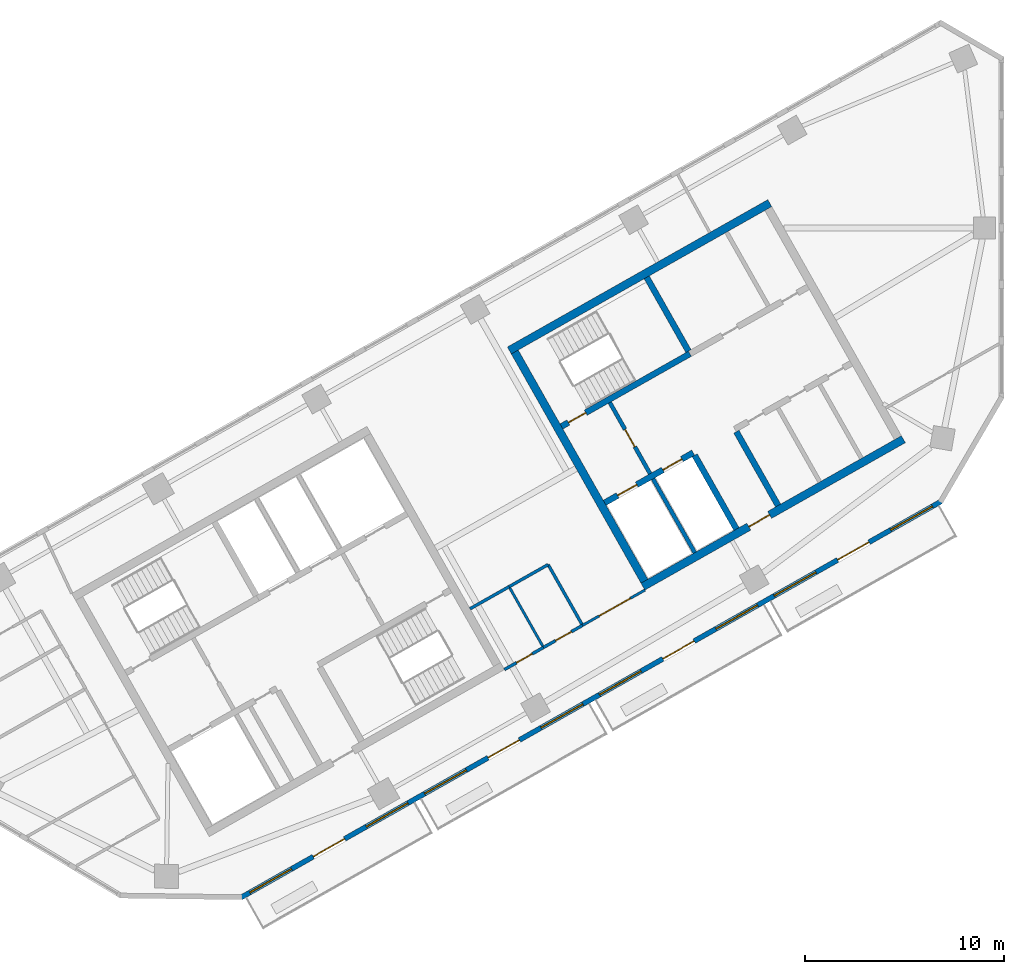
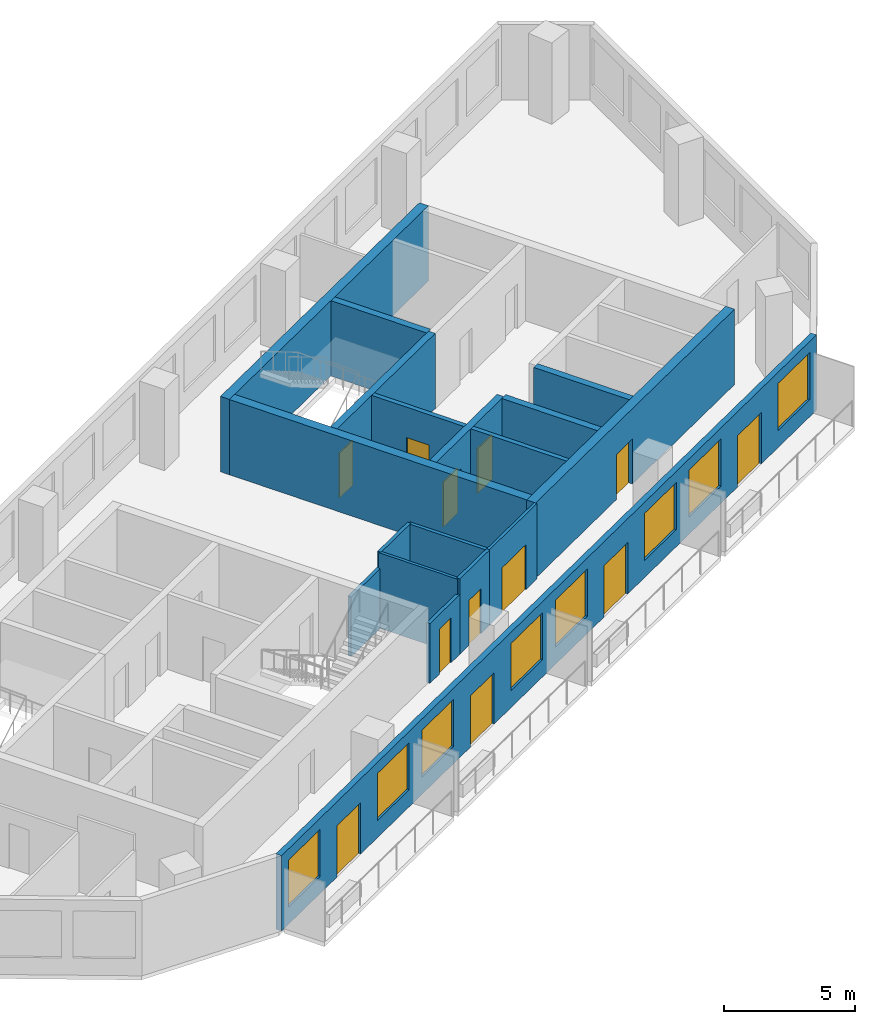
# One storey, part 4 of 7: 18 walls, 12 doors, 8 windows, 20 openings.
"""IFC4 building model written with IfcOpenShell, lengths in metres."""

import ifcopenshell
import ifcopenshell.guid

model = None  # the IFC model being written
_history = None  # IfcOwnerHistory: only IFC2X3 demands one
_inside = {}  # id of a spatial element -> (the spatial element, [elements in it])
_under = {}  # id of a project, library or spatial element -> (it, [spatial elements below it])
_declared = {}  # id of a project -> (the project, [libraries it declares])
_typed = {}  # id of a type object -> (the type object, [elements of that type])
_made_of = {}  # id of a material, layer set ... -> (it, [elements and type objects made of it])


def new_model(schema):
    """Start an empty IFC model of exactly this schema.

    Asked for "IFC4X3", IfcOpenShell would pick the latest addendum, in which some entities
    have other attributes; the version numbers below select the first issue.
    IFC2X3 requires an IfcOwnerHistory on every rooted entity: one is made here for all.
    """
    global model, _history
    if schema == "IFC4X3":
        model = ifcopenshell.file(schema_version=(4, 3, 0, 0))
    else:
        model = ifcopenshell.file(schema=schema)
    _inside.clear()
    _under.clear()
    _declared.clear()
    _typed.clear()
    _made_of.clear()
    _history = None
    if model.schema == "IFC2X3":
        org = make("IfcOrganization", Name="unknown")
        user = make(
            "IfcPersonAndOrganization",
            ThePerson=make("IfcPerson", FamilyName="unknown"),
            TheOrganization=org,
        )
        app = make(
            "IfcApplication",
            ApplicationDeveloper=org,
            Version="unknown",
            ApplicationFullName="unknown",
            ApplicationIdentifier="unknown",
        )
        _history = make(
            "IfcOwnerHistory",
            OwningUser=user,
            OwningApplication=app,
            ChangeAction="ADDED",
            CreationDate=0,
        )
    return model


def make(cls, **values):
    """One entity of the class cls with the attributes given. An attribute that is None is left unset."""
    return model.create_entity(
        cls, **{name: value for name, value in values.items() if value is not None}
    )


def rooted(cls, **values):
    """An entity with a GlobalId (a new one), such as an element, a storey or a relation."""
    return make(cls, GlobalId=ifcopenshell.guid.new(), OwnerHistory=_history, **values)


def si_unit(unit_type, name, prefix=None):
    """IfcSIUnit, for example si_unit("LENGTHUNIT", "METRE", prefix="MILLI")."""
    return make("IfcSIUnit", UnitType=unit_type, Prefix=prefix, Name=name)


def assignment(units):
    """IfcUnitAssignment: the units of a project."""
    return None if units is None else make("IfcUnitAssignment", Units=units)


def point(xyz):
    """IfcCartesianPoint."""
    return None if xyz is None else make("IfcCartesianPoint", Coordinates=xyz)


def direction(xyz):
    """IfcDirection."""
    return None if xyz is None else make("IfcDirection", DirectionRatios=xyz)


def frame(location, z_axis=None, x_axis=None):
    """IfcAxis2Placement3D, a coordinate frame: its origin and axes. An axis left out is left unset."""
    return make(
        "IfcAxis2Placement3D",
        Location=point(location),
        Axis=direction(z_axis),
        RefDirection=direction(x_axis),
    )


def frame_2d(location, x_axis=None):
    """IfcAxis2Placement2D, a coordinate frame in the plane: its origin and x axis."""
    return make(
        "IfcAxis2Placement2D", Location=point(location), RefDirection=direction(x_axis)
    )


def origin():
    """The frame at (0, 0, 0) with its axes left unset."""
    return frame((0.0, 0.0, 0.0))


def place(relative_to, where):
    """IfcLocalPlacement: puts the frame where relative to a parent placement (None: the world)."""
    return make(
        "IfcLocalPlacement", PlacementRelTo=relative_to, RelativePlacement=where
    )


def context(
    kind, dimensions, precision=None, world=None, true_north=None, identifier=None
):
    """IfcGeometricRepresentationContext, for example the 3D "Model" context."""
    return make(
        "IfcGeometricRepresentationContext",
        ContextIdentifier=identifier,
        ContextType=kind,
        CoordinateSpaceDimension=dimensions,
        Precision=precision,
        WorldCoordinateSystem=world,
        TrueNorth=true_north,
    )


def subcontext(parent, identifier, kind, view, scale=None):
    """IfcGeometricRepresentationSubContext, for example "Body" below "Model"."""
    return make(
        "IfcGeometricRepresentationSubContext",
        ContextIdentifier=identifier,
        ContextType=kind,
        ParentContext=parent,
        TargetScale=scale,
        TargetView=view,
    )


def project(units=None, contexts=None):
    """IfcProject with its units and contexts."""
    return rooted(
        "IfcProject",
        Name="project",
        RepresentationContexts=contexts,
        UnitsInContext=assignment(units),
    )


def spatial(cls, under=None, at=None, **own):
    """A site, building, storey or space (cls), placed at a placement, below another one or the project."""
    s = rooted(cls, ObjectPlacement=at, **own)
    if under is not None:
        _under.setdefault(under.id(), (under, []))[1].append(s)
    return s


def profile(cls, at=None, kind="AREA", **sizes):
    """A parametric profile (cls). Its sizes go by their IFC names, for example OverallWidth=200.0."""
    return make(cls, ProfileType=kind, Position=at, **sizes)


def rectangle(**sizes):
    """IfcRectangleProfileDef."""
    return profile("IfcRectangleProfileDef", **sizes)


def extrude(swept, where, along, depth):
    """IfcExtrudedAreaSolid: the profile swept, set in the frame where, extruded along a direction by depth."""
    return make(
        "IfcExtrudedAreaSolid",
        SweptArea=swept,
        Position=where,
        ExtrudedDirection=direction(along),
        Depth=depth,
    )


def shape(context_of_items, identifier, shape_type, items):
    """IfcShapeRepresentation: the items that make up one representation, for example the "Body"."""
    return make(
        "IfcShapeRepresentation",
        ContextOfItems=context_of_items,
        RepresentationIdentifier=identifier,
        RepresentationType=shape_type,
        Items=items,
    )


def material(Name=None, Category=None):
    """IfcMaterial."""
    return make("IfcMaterial", Name=Name, Category=Category)


def layer(
    of_material, thickness, ventilated=None, Name=None, Category=None, Priority=None
):
    """IfcMaterialLayer: one layer of a wall or slab, of a material (None: an air gap)."""
    return make(
        "IfcMaterialLayer",
        Material=of_material,
        LayerThickness=thickness,
        IsVentilated=ventilated,
        Name=Name,
        Category=Category,
        Priority=Priority,
    )


def layer_set(layers, Name=None):
    """IfcMaterialLayerSet."""
    return make("IfcMaterialLayerSet", MaterialLayers=layers, LayerSetName=Name)


def made_of(thing, what):
    """Note that an element or type object is made of a material, layer set ...; save() writes the relation."""
    if what is not None:
        _made_of.setdefault(what.id(), (what, []))[1].append(thing)
    return thing


def type_object(cls, material=None, **own):
    """A type object (cls), such as IfcWallType, which elements share."""
    return made_of(rooted(cls, **own), material)


def element(
    cls,
    number,
    at=None,
    inside=None,
    cuts=None,
    type_object=None,
    material=None,
    context=None,
    identifier="Body",
    shape_type=None,
    held_by="IfcProductDefinitionShape",
    body=None,
    shapes=None,
    **own,
):
    """One element of the class cls, such as IfcWall. Its Tag is "e" and its number.

    at: its placement. inside: the storey or other place that contains it. cuts: it is an
    opening in that element (IfcRelVoidsElement). A single representation is given by context,
    identifier, shape_type and body (its items); several are given by shapes. held_by: the class
    of the entity that holds the representations. save() writes the other relations.
    """
    e = rooted(cls, Tag="e%d" % number, ObjectPlacement=at, **own)
    if body is not None:
        shapes = [shape(context, identifier, shape_type, body)]
    if shapes is not None:
        e.Representation = make(held_by, Representations=shapes)
    if inside is not None:
        _inside.setdefault(inside.id(), (inside, []))[1].append(e)
    if cuts is not None:
        rooted(
            "IfcRelVoidsElement", RelatingBuildingElement=cuts, RelatedOpeningElement=e
        )
    if type_object is not None:
        _typed.setdefault(type_object.id(), (type_object, []))[1].append(e)
    return made_of(e, material)


def fill(opening, filler):
    """IfcRelFillsElement: the door or window that sits in an opening."""
    return rooted(
        "IfcRelFillsElement",
        RelatingOpeningElement=opening,
        RelatedBuildingElement=filler,
    )


def aggregate(whole, parts):
    """IfcRelAggregates: a whole, such as a stair, and the parts it consists of."""
    return rooted("IfcRelAggregates", RelatingObject=whole, RelatedObjects=parts)


def save(model, path):
    """Write the relations noted so far, then the file.

    IfcRelAggregates (storeys below a building ...), IfcRelContainedInSpatialStructure (elements
    in a storey), IfcRelDefinesByType, IfcRelAssociatesMaterial and IfcRelDeclares: one each for
    every whole, place, type object, material and project.
    """
    for whole, parts in _under.values():
        aggregate(whole, parts)
    for where, things in _inside.values():
        rooted(
            "IfcRelContainedInSpatialStructure",
            RelatedElements=things,
            RelatingStructure=where,
        )
    for kind, things in _typed.values():
        rooted("IfcRelDefinesByType", RelatedObjects=things, RelatingType=kind)
    for what, things in _made_of.values():
        rooted("IfcRelAssociatesMaterial", RelatedObjects=things, RelatingMaterial=what)
    for by, libraries in _declared.values():
        rooted("IfcRelDeclares", RelatingContext=by, RelatedDefinitions=libraries)
    model.write(path)


model = new_model("IFC4")

# Units and contexts
model_context = context("Model", 3, precision=1e-05, world=origin(), true_north=direction((0.0, 1.0)))
body_context = subcontext(model_context, "Body", "Model", "MODEL_VIEW")
ifc_project = project(units=[si_unit("LENGTHUNIT", "METRE"), si_unit("AREAUNIT", "SQUARE_METRE"), si_unit("VOLUMEUNIT", "CUBIC_METRE"), si_unit("PLANEANGLEUNIT", "RADIAN"), si_unit("MASSUNIT", "GRAM", prefix="KILO")], contexts=[model_context])

# Site, building, storey
site_placement = place(None, origin())
site = spatial("IfcSite", under=ifc_project, at=site_placement, CompositionType="ELEMENT")
building_placement = place(site_placement, origin())
building = spatial("IfcBuilding", under=site, at=building_placement, Name="Binnacle Exchange Tower", CompositionType="ELEMENT")
storey_placement = place(building_placement, frame((0.0, 0.0, 296.89990234375)))
storey = spatial("IfcBuildingStorey", under=building, at=storey_placement, Name="L66", CompositionType="ELEMENT", Elevation=296.89990234375)

# Wall, openings, doors
ifc_material_1 = material(Name="Concrete C70/85", Category="concrete")
ifc_layer_1 = layer(ifc_material_1, 0.300048828125)
ifc_layer_set_1 = layer_set([ifc_layer_1], Name="Core wall - front 300")
wall_type_1 = type_object("IfcWallType", Name="Core wall - front 300", PredefinedType="SOLIDWALL", material=ifc_layer_set_1)
wall_1_placement = place(storey_placement, frame((-19.89208984375, 46.2177734375, 0.0), z_axis=(0.0, 0.0, 1.0), x_axis=(0.870341639186, 0.492448404505, 0.0)))
wall_1 = element("IfcWall", 1, at=wall_1_placement, inside=storey, type_object=wall_type_1, Name="Core wall CRWC2", PredefinedType="SOLIDWALL", context=body_context, shape_type="SweptSolid", body=[
    extrude(rectangle(XDim=5.099853515625, YDim=0.300048828125, at=frame_2d((2.5498046875, 0.0))), origin(), (0.0, 0.0, 1.0), 3.52001953125),
])
opening_1_placement = place(wall_1_placement, frame((0.75, 0.0, 0.0)))
opening_1 = element("IfcOpeningElement", 2, at=opening_1_placement, cuts=wall_1, Name="Opening LD14", PredefinedType="OPENING", context=body_context, shape_type="SweptSolid", body=[
    extrude(rectangle(XDim=1.10009765625, YDim=2.10009765625, at=frame_2d((0.550048828125, 1.050048828125))), frame((0.0, 0.159912109375, 0.0), z_axis=(0.0, -1.0, 0.0), x_axis=(1.0, 0.0, 0.0)), (0.0, 0.0, 1.0), 0.320068359375),
])
opening_2_placement = place(wall_1_placement, frame((3.35009765625, 0.0, 0.0)))
opening_2 = element("IfcOpeningElement", 3, at=opening_2_placement, cuts=wall_1, Name="Opening LD11", PredefinedType="OPENING", context=body_context, shape_type="SweptSolid", body=[
    extrude(rectangle(XDim=1.10009765625, YDim=2.10009765625, at=frame_2d((0.550048828125, 1.050048828125))), frame((0.0, 0.159912109375, 0.0), z_axis=(0.0, -1.0, 0.0), x_axis=(1.0, 0.0, 0.0)), (0.0, 0.0, 1.0), 0.320068359375),
])
ifc_material_2 = material(Name="Steel door leaf", Category="steel")
door_type_1 = type_object("IfcDoorType", Name="Fire door - lift landing 1100", OperationType="NOTDEFINED", PredefinedType="DOOR", material=ifc_material_2)
door_1_placement = place(opening_1_placement, origin())
door_1 = element("IfcDoor", 4, at=door_1_placement, inside=storey, type_object=door_type_1, Name="Landing door LD14 L66", OperationType="DOUBLE_DOOR_SLIDING", OverallHeight=2.10009765625, OverallWidth=1.10009765625, PredefinedType="DOOR", context=body_context, shape_type="SweptSolid", body=[
    extrude(rectangle(XDim=1.10009765625, YDim=2.10009765625, at=frame_2d((0.550048828125, 1.050048828125))), frame((0.0, 0.02490234375, 0.0), z_axis=(0.0, -1.0, 0.0), x_axis=(1.0, 0.0, 0.0)), (0.0, 0.0, 1.0), 0.050048828125),
])
fill(opening_1, door_1)
door_2_placement = place(opening_2_placement, origin())
door_2 = element("IfcDoor", 5, at=door_2_placement, inside=storey, type_object=door_type_1, Name="Landing door LD11 L66", OperationType="DOUBLE_DOOR_SLIDING", OverallHeight=2.10009765625, OverallWidth=1.10009765625, PredefinedType="DOOR", context=body_context, shape_type="SweptSolid", body=[
    extrude(rectangle(XDim=1.10009765625, YDim=2.10009765625, at=frame_2d((0.550048828125, 1.050048828125))), frame((0.0, 0.02490234375, 0.0), z_axis=(0.0, -1.0, 0.0), x_axis=(1.0, 0.0, 0.0)), (0.0, 0.0, 1.0), 0.050048828125),
])
fill(opening_2, door_2)

# Walls
wall_2_placement = place(storey_placement, frame((-15.37939453125, 48.5986328125, 0.0), z_axis=(0.0, 0.0, 1.0), x_axis=(0.492422543467, -0.870356271124, 0.0)))
element("IfcWall", 6, at=wall_2_placement, inside=storey, type_object=wall_type_1, Name="Core wall CRWC13", PredefinedType="SOLIDWALL", context=body_context, shape_type="SweptSolid", body=[
    extrude(rectangle(XDim=4.25, YDim=0.300048828125, at=frame_2d((2.125, 0.0))), origin(), (0.0, 0.0, 1.0), 3.52001953125),
])
wall_3_placement = place(storey_placement, frame((-13.29052734375, 49.780517578125, 0.0), z_axis=(0.0, 0.0, 1.0), x_axis=(0.492397924348, -0.870370199454, 0.0)))
element("IfcWall", 7, at=wall_3_placement, inside=storey, type_object=wall_type_1, Name="Core wall CRWC15", PredefinedType="SOLIDWALL", context=body_context, shape_type="SweptSolid", body=[
    extrude(rectangle(XDim=4.250244140625, YDim=0.300048828125, at=frame_2d((2.125, 0.0))), origin(), (0.0, 0.0, 1.0), 3.52001953125),
])

# Wall, opening, door
ifc_layer_2 = layer(ifc_material_1, 0.39990234375)
ifc_layer_set_2 = layer_set([ifc_layer_2], Name="Core wall - outer 400")
wall_type_2 = type_object("IfcWallType", Name="Core wall - outer 400", PredefinedType="SOLIDWALL", material=ifc_layer_set_2)
wall_4_placement = place(storey_placement, frame((-17.97509765625, 42.01708984375, 0.0), z_axis=(0.0, 0.0, 1.0), x_axis=(0.87034965173, 0.492434243055, 0.0)))
wall_4 = element("IfcWall", 8, at=wall_4_placement, inside=storey, type_object=wall_type_2, Name="Core wall CRWC1", PredefinedType="SOLIDWALL", context=body_context, shape_type="SweptSolid", body=[
    extrude(rectangle(XDim=15.0, YDim=0.39990234375, at=frame_2d((7.5, 0.0))), origin(), (0.0, 0.0, 1.0), 3.52001953125),
])
opening_3_placement = place(wall_4_placement, frame((6.10009765625, 0.0, 0.0)))
opening_3 = element("IfcOpeningElement", 9, at=opening_3_placement, cuts=wall_4, Name="Opening DC7", PredefinedType="OPENING", context=body_context, shape_type="SweptSolid", body=[
    extrude(rectangle(XDim=1.199951171875, YDim=2.10009765625, at=frame_2d((0.60009765625, 1.050048828125))), frame((0.0, 0.2099609375, 0.0), z_axis=(0.0, -1.0, 0.0), x_axis=(1.0, 0.0, 0.0)), (0.0, 0.0, 1.0), 0.419921875),
])
door_type_2 = type_object("IfcDoorType", Name="Fire door 1200", OperationType="NOTDEFINED", PredefinedType="DOOR", material=ifc_material_2)
door_3_placement = place(opening_3_placement, frame((1.199951171875, 0.0, 0.0), z_axis=(0.0, 0.0, 1.0), x_axis=(-1.0, 0.0, 0.0)))
door_3 = element("IfcDoor", 10, at=door_3_placement, inside=storey, type_object=door_type_2, Name="Lift lobby entrance door core C", OperationType="SINGLE_SWING_RIGHT", OverallHeight=2.10009765625, OverallWidth=1.199951171875, PredefinedType="DOOR", context=body_context, shape_type="SweptSolid", body=[
    extrude(rectangle(XDim=1.199951171875, YDim=2.10009765625, at=frame_2d((0.60009765625, 1.050048828125))), frame((0.0, 0.02490234375, 0.0), z_axis=(0.0, -1.0, 0.0), x_axis=(1.0, 0.0, 0.0)), (0.0, 0.0, 1.0), 0.050048828125),
])
fill(opening_3, door_3)

# Walls
wall_5_placement = place(storey_placement, frame((-24.672119140625, 53.85400390625, 0.0), z_axis=(0.0, 0.0, 1.0), x_axis=(0.870353598469, 0.492427267353, 0.0)))
element("IfcWall", 11, at=wall_5_placement, inside=storey, type_object=wall_type_2, Name="Core wall CRWC6", PredefinedType="SOLIDWALL", context=body_context, shape_type="SweptSolid", body=[
    extrude(rectangle(XDim=15.000244140625, YDim=0.39990234375, at=frame_2d((7.5, 0.0))), origin(), (0.0, 0.0, 1.0), 3.52001953125),
])
wall_6_placement = place(storey_placement, frame((-24.399658203125, 53.778564453125, 0.0), z_axis=(0.0, 0.0, 1.0), x_axis=(0.492421663121, -0.870356769198, 0.0)))
element("IfcWall", 12, at=wall_6_placement, inside=storey, type_object=wall_type_2, Name="Core wall CRWC7", PredefinedType="SOLIDWALL", context=body_context, shape_type="SweptSolid", body=[
    extrude(rectangle(XDim=13.199951171875, YDim=0.39990234375, at=frame_2d((6.60009765625, 0.0))), origin(), (0.0, 0.0, 1.0), 3.52001953125),
])

# Wall, opening, door
ifc_layer_3 = layer(ifc_material_1, 0.300048828125)
ifc_layer_set_3 = layer_set([ifc_layer_3], Name="Core wall - stair 300")
wall_type_3 = type_object("IfcWallType", Name="Core wall - stair 300", PredefinedType="SOLIDWALL", material=ifc_layer_set_3)
wall_7_placement = place(storey_placement, frame((-22.058837890625, 50.04736328125, 0.0), z_axis=(0.0, 0.0, 1.0), x_axis=(0.87035077051, 0.49243226567, 0.0)))
wall_7 = element("IfcWall", 13, at=wall_7_placement, inside=storey, type_object=wall_type_3, Name="Core wall CRWC4", PredefinedType="SOLIDWALL", context=body_context, shape_type="SweptSolid", body=[
    extrude(rectangle(XDim=7.400146484375, YDim=0.300048828125, at=frame_2d((3.7001953125, 0.0))), origin(), (0.0, 0.0, 1.0), 3.52001953125),
])
opening_4_placement = place(wall_7_placement, frame((0.39990234375, 0.0, 0.0)))
opening_4 = element("IfcOpeningElement", 14, at=opening_4_placement, cuts=wall_7, Name="Opening DC1", PredefinedType="OPENING", context=body_context, shape_type="SweptSolid", body=[
    extrude(rectangle(XDim=1.0, YDim=2.10009765625, at=frame_2d((0.5, 1.050048828125))), frame((0.0, 0.159912109375, 0.0), z_axis=(0.0, -1.0, 0.0), x_axis=(1.0, 0.0, 0.0)), (0.0, 0.0, 1.0), 0.320068359375),
])
door_type_3 = type_object("IfcDoorType", Name="Fire door 1000", OperationType="NOTDEFINED", PredefinedType="DOOR", material=ifc_material_2)
door_4_placement = place(opening_4_placement, origin())
door_4 = element("IfcDoor", 15, at=door_4_placement, inside=storey, type_object=door_type_3, Name="Stair door ST-C1", OperationType="SINGLE_SWING_LEFT", OverallHeight=2.10009765625, OverallWidth=1.0, PredefinedType="DOOR", context=body_context, shape_type="SweptSolid", body=[
    extrude(rectangle(XDim=1.0, YDim=2.10009765625, at=frame_2d((0.5, 1.050048828125))), frame((0.0, 0.02490234375, 0.0), z_axis=(0.0, -1.0, 0.0), x_axis=(1.0, 0.0, 0.0)), (0.0, 0.0, 1.0), 0.050048828125),
])
fill(opening_4, door_4)

# Wall
wall_8_placement = place(storey_placement, frame((-17.784912109375, 57.52099609375, 0.0), z_axis=(0.0, 0.0, 1.0), x_axis=(0.492422543467, -0.870356271124, 0.0)))
element("IfcWall", 16, at=wall_8_placement, inside=storey, type_object=wall_type_3, Name="Core wall CRWC14", PredefinedType="SOLIDWALL", context=body_context, shape_type="SweptSolid", body=[
    extrude(rectangle(XDim=4.25, YDim=0.300048828125, at=frame_2d((2.125, 0.0))), origin(), (0.0, 0.0, 1.0), 3.52001953125),
])

# Wall, openings, doors, windows
ifc_material_3 = material(Name="Bronze aluminium cladding", Category="aluminium")
ifc_layer_4 = layer(ifc_material_3, 0.25)
ifc_layer_set_4 = layer_set([ifc_layer_4], Name="External wall - window wall 250")
wall_type_4 = type_object("IfcWallType", Name="External wall - window wall 250", PredefinedType="STANDARD", material=ifc_layer_set_4)
wall_9_placement = place(storey_placement, frame((-3.016845703125, 46.293212890625, 0.0), z_axis=(0.0, 0.0, 1.0), x_axis=(-0.870355474887, -0.492423950812, 0.0)))
wall_9 = element("IfcWall", 17, at=wall_9_placement, inside=storey, type_object=wall_type_4, Name="External wall EW-H07 L66", PredefinedType="STANDARD", context=body_context, shape_type="SweptSolid", body=[
    extrude(rectangle(XDim=40.34033203125, YDim=0.25, at=frame_2d((20.170166015625, 0.0))), origin(), (0.0, 0.0, 1.0), 3.52001953125),
])
opening_5_placement = place(wall_9_placement, frame((37.428466796875, 0.0, 0.800048828125)))
opening_5 = element("IfcOpeningElement", 18, at=opening_5_placement, cuts=wall_9, Name="Opening WR2", PredefinedType="OPENING", context=body_context, shape_type="SweptSolid", body=[
    extrude(rectangle(XDim=2.39990234375, YDim=2.199951171875, at=frame_2d((1.199951171875, 1.10009765625))), frame((0.0, 0.135009765625, 0.0), z_axis=(0.0, -1.0, 0.0), x_axis=(1.0, 0.0, 0.0)), (0.0, 0.0, 1.0), 0.27001953125),
])
opening_6_placement = place(wall_9_placement, frame((34.372314453125, 0.0, 0.0)))
opening_6 = element("IfcOpeningElement", 19, at=opening_6_placement, cuts=wall_9, Name="Opening D-FS20-01", PredefinedType="OPENING", context=body_context, shape_type="SweptSolid", body=[
    extrude(rectangle(XDim=1.800048828125, YDim=2.39990234375, at=frame_2d((0.89990234375, 1.199951171875))), frame((0.0, 0.135009765625, 0.0), z_axis=(0.0, -1.0, 0.0), x_axis=(1.0, 0.0, 0.0)), (0.0, 0.0, 1.0), 0.27001953125),
])
opening_7_placement = place(wall_9_placement, frame((30.71630859375, 0.0, 0.800048828125)))
opening_7 = element("IfcOpeningElement", 20, at=opening_7_placement, cuts=wall_9, Name="Opening WR2", PredefinedType="OPENING", context=body_context, shape_type="SweptSolid", body=[
    extrude(rectangle(XDim=2.39990234375, YDim=2.199951171875, at=frame_2d((1.199951171875, 1.10009765625))), frame((0.0, 0.135009765625, 0.0), z_axis=(0.0, -1.0, 0.0), x_axis=(1.0, 0.0, 0.0)), (0.0, 0.0, 1.0), 0.27001953125),
])
opening_8_placement = place(wall_9_placement, frame((27.3603515625, 0.0, 0.800048828125)))
opening_8 = element("IfcOpeningElement", 21, at=opening_8_placement, cuts=wall_9, Name="Opening WR2", PredefinedType="OPENING", context=body_context, shape_type="SweptSolid", body=[
    extrude(rectangle(XDim=2.39990234375, YDim=2.199951171875, at=frame_2d((1.199951171875, 1.10009765625))), frame((0.0, 0.135009765625, 0.0), z_axis=(0.0, -1.0, 0.0), x_axis=(1.0, 0.0, 0.0)), (0.0, 0.0, 1.0), 0.27001953125),
])
opening_9_placement = place(wall_9_placement, frame((24.30419921875, 0.0, 0.0)))
opening_9 = element("IfcOpeningElement", 22, at=opening_9_placement, cuts=wall_9, Name="Opening D-FS20-02", PredefinedType="OPENING", context=body_context, shape_type="SweptSolid", body=[
    extrude(rectangle(XDim=1.800048828125, YDim=2.39990234375, at=frame_2d((0.89990234375, 1.199951171875))), frame((0.0, 0.135009765625, 0.0), z_axis=(0.0, -1.0, 0.0), x_axis=(1.0, 0.0, 0.0)), (0.0, 0.0, 1.0), 0.27001953125),
])
opening_10_placement = place(wall_9_placement, frame((20.648193359375, 0.0, 0.800048828125)))
opening_10 = element("IfcOpeningElement", 23, at=opening_10_placement, cuts=wall_9, Name="Opening WR2", PredefinedType="OPENING", context=body_context, shape_type="SweptSolid", body=[
    extrude(rectangle(XDim=2.39990234375, YDim=2.199951171875, at=frame_2d((1.199951171875, 1.10009765625))), frame((0.0, 0.135009765625, 0.0), z_axis=(0.0, -1.0, 0.0), x_axis=(1.0, 0.0, 0.0)), (0.0, 0.0, 1.0), 0.27001953125),
])
opening_11_placement = place(wall_9_placement, frame((17.2919921875, 0.0, 0.800048828125)))
opening_11 = element("IfcOpeningElement", 24, at=opening_11_placement, cuts=wall_9, Name="Opening WR2", PredefinedType="OPENING", context=body_context, shape_type="SweptSolid", body=[
    extrude(rectangle(XDim=2.39990234375, YDim=2.199951171875, at=frame_2d((1.199951171875, 1.10009765625))), frame((0.0, 0.135009765625, 0.0), z_axis=(0.0, -1.0, 0.0), x_axis=(1.0, 0.0, 0.0)), (0.0, 0.0, 1.0), 0.27001953125),
])
opening_12_placement = place(wall_9_placement, frame((14.236083984375, 0.0, 0.0)))
opening_12 = element("IfcOpeningElement", 25, at=opening_12_placement, cuts=wall_9, Name="Opening D-FS20-03", PredefinedType="OPENING", context=body_context, shape_type="SweptSolid", body=[
    extrude(rectangle(XDim=1.800048828125, YDim=2.39990234375, at=frame_2d((0.89990234375, 1.199951171875))), frame((0.0, 0.135009765625, 0.0), z_axis=(0.0, -1.0, 0.0), x_axis=(1.0, 0.0, 0.0)), (0.0, 0.0, 1.0), 0.27001953125),
])
opening_13_placement = place(wall_9_placement, frame((10.580078125, 0.0, 0.800048828125)))
opening_13 = element("IfcOpeningElement", 26, at=opening_13_placement, cuts=wall_9, Name="Opening WR2", PredefinedType="OPENING", context=body_context, shape_type="SweptSolid", body=[
    extrude(rectangle(XDim=2.39990234375, YDim=2.199951171875, at=frame_2d((1.199951171875, 1.10009765625))), frame((0.0, 0.135009765625, 0.0), z_axis=(0.0, -1.0, 0.0), x_axis=(1.0, 0.0, 0.0)), (0.0, 0.0, 1.0), 0.27001953125),
])
opening_14_placement = place(wall_9_placement, frame((7.223876953125, 0.0, 0.800048828125)))
opening_14 = element("IfcOpeningElement", 27, at=opening_14_placement, cuts=wall_9, Name="Opening WR2", PredefinedType="OPENING", context=body_context, shape_type="SweptSolid", body=[
    extrude(rectangle(XDim=2.39990234375, YDim=2.199951171875, at=frame_2d((1.199951171875, 1.10009765625))), frame((0.0, 0.135009765625, 0.0), z_axis=(0.0, -1.0, 0.0), x_axis=(1.0, 0.0, 0.0)), (0.0, 0.0, 1.0), 0.27001953125),
])
opening_15_placement = place(wall_9_placement, frame((4.16796875, 0.0, 0.0)))
opening_15 = element("IfcOpeningElement", 28, at=opening_15_placement, cuts=wall_9, Name="Opening D-FS20-04", PredefinedType="OPENING", context=body_context, shape_type="SweptSolid", body=[
    extrude(rectangle(XDim=1.800048828125, YDim=2.39990234375, at=frame_2d((0.89990234375, 1.199951171875))), frame((0.0, 0.135009765625, 0.0), z_axis=(0.0, -1.0, 0.0), x_axis=(1.0, 0.0, 0.0)), (0.0, 0.0, 1.0), 0.27001953125),
])
opening_16_placement = place(wall_9_placement, frame((0.51171875, 0.0, 0.800048828125)))
opening_16 = element("IfcOpeningElement", 29, at=opening_16_placement, cuts=wall_9, Name="Opening WR2", PredefinedType="OPENING", context=body_context, shape_type="SweptSolid", body=[
    extrude(rectangle(XDim=2.39990234375, YDim=2.199951171875, at=frame_2d((1.199951171875, 1.10009765625))), frame((0.0, 0.135009765625, 0.0), z_axis=(0.0, -1.0, 0.0), x_axis=(1.0, 0.0, 0.0)), (0.0, 0.0, 1.0), 0.27001953125),
])
ifc_material_4 = material(Name="Bronze anodised aluminium frame", Category="aluminium")
door_type_4 = type_object("IfcDoorType", Name="DB DOOR 1800x2400", OperationType="DOUBLE_DOOR_SINGLE_SWING", PredefinedType="DOOR", material=ifc_material_4)
door_5_placement = place(opening_6_placement, origin())
door_5 = element("IfcDoor", 30, at=door_5_placement, inside=storey, type_object=door_type_4, Name="Door D-FS20-01 L66", OperationType="DOUBLE_DOOR_SINGLE_SWING", OverallHeight=2.39990234375, OverallWidth=1.800048828125, PredefinedType="DOOR", context=body_context, shape_type="SweptSolid", body=[
    extrude(rectangle(XDim=1.800048828125, YDim=2.39990234375, at=frame_2d((0.89990234375, 1.199951171875))), frame((0.0, 0.02490234375, 0.0), z_axis=(0.0, -1.0, 0.0), x_axis=(1.0, 0.0, 0.0)), (0.0, 0.0, 1.0), 0.050048828125),
])
fill(opening_6, door_5)
door_6_placement = place(opening_9_placement, origin())
door_6 = element("IfcDoor", 31, at=door_6_placement, inside=storey, type_object=door_type_4, Name="Door D-FS20-02 L66", OperationType="DOUBLE_DOOR_SINGLE_SWING", OverallHeight=2.39990234375, OverallWidth=1.800048828125, PredefinedType="DOOR", context=body_context, shape_type="SweptSolid", body=[
    extrude(rectangle(XDim=1.800048828125, YDim=2.39990234375, at=frame_2d((0.89990234375, 1.199951171875))), frame((0.0, 0.02490234375, 0.0), z_axis=(0.0, -1.0, 0.0), x_axis=(1.0, 0.0, 0.0)), (0.0, 0.0, 1.0), 0.050048828125),
])
fill(opening_9, door_6)
door_7_placement = place(opening_12_placement, origin())
door_7 = element("IfcDoor", 32, at=door_7_placement, inside=storey, type_object=door_type_4, Name="Door D-FS20-03 L66", OperationType="DOUBLE_DOOR_SINGLE_SWING", OverallHeight=2.39990234375, OverallWidth=1.800048828125, PredefinedType="DOOR", context=body_context, shape_type="SweptSolid", body=[
    extrude(rectangle(XDim=1.800048828125, YDim=2.39990234375, at=frame_2d((0.89990234375, 1.199951171875))), frame((0.0, 0.02490234375, 0.0), z_axis=(0.0, -1.0, 0.0), x_axis=(1.0, 0.0, 0.0)), (0.0, 0.0, 1.0), 0.050048828125),
])
fill(opening_12, door_7)
door_8_placement = place(opening_15_placement, origin())
door_8 = element("IfcDoor", 33, at=door_8_placement, inside=storey, type_object=door_type_4, Name="Door D-FS20-04 L66", OperationType="DOUBLE_DOOR_SINGLE_SWING", OverallHeight=2.39990234375, OverallWidth=1.800048828125, PredefinedType="DOOR", context=body_context, shape_type="SweptSolid", body=[
    extrude(rectangle(XDim=1.800048828125, YDim=2.39990234375, at=frame_2d((0.89990234375, 1.199951171875))), frame((0.0, 0.02490234375, 0.0), z_axis=(0.0, -1.0, 0.0), x_axis=(1.0, 0.0, 0.0)), (0.0, 0.0, 1.0), 0.050048828125),
])
fill(opening_15, door_8)
window_type = type_object("IfcWindowType", Name="WR2 WINDOW 2400x2200", PartitioningType="SINGLE_PANEL", PredefinedType="WINDOW", material=ifc_material_4)
window_1_placement = place(opening_5_placement, origin())
window_1 = element("IfcWindow", 34, at=window_1_placement, inside=storey, type_object=window_type, Name="Window WR2 L66", OverallHeight=2.199951171875, OverallWidth=2.39990234375, PartitioningType="SINGLE_PANEL", PredefinedType="WINDOW", context=body_context, shape_type="SweptSolid", body=[
    extrude(rectangle(XDim=2.39990234375, YDim=2.199951171875, at=frame_2d((1.199951171875, 1.10009765625))), frame((0.0, 0.030029296875, 0.0), z_axis=(0.0, -1.0, 0.0), x_axis=(1.0, 0.0, 0.0)), (0.0, 0.0, 1.0), 0.06005859375),
])
fill(opening_5, window_1)
window_2_placement = place(opening_7_placement, origin())
window_2 = element("IfcWindow", 35, at=window_2_placement, inside=storey, type_object=window_type, Name="Window WR2 L66", OverallHeight=2.199951171875, OverallWidth=2.39990234375, PartitioningType="SINGLE_PANEL", PredefinedType="WINDOW", context=body_context, shape_type="SweptSolid", body=[
    extrude(rectangle(XDim=2.39990234375, YDim=2.199951171875, at=frame_2d((1.199951171875, 1.10009765625))), frame((0.0, 0.030029296875, 0.0), z_axis=(0.0, -1.0, 0.0), x_axis=(1.0, 0.0, 0.0)), (0.0, 0.0, 1.0), 0.06005859375),
])
fill(opening_7, window_2)
window_3_placement = place(opening_8_placement, origin())
window_3 = element("IfcWindow", 36, at=window_3_placement, inside=storey, type_object=window_type, Name="Window WR2 L66", OverallHeight=2.199951171875, OverallWidth=2.39990234375, PartitioningType="SINGLE_PANEL", PredefinedType="WINDOW", context=body_context, shape_type="SweptSolid", body=[
    extrude(rectangle(XDim=2.39990234375, YDim=2.199951171875, at=frame_2d((1.199951171875, 1.10009765625))), frame((0.0, 0.030029296875, 0.0), z_axis=(0.0, -1.0, 0.0), x_axis=(1.0, 0.0, 0.0)), (0.0, 0.0, 1.0), 0.06005859375),
])
fill(opening_8, window_3)
window_4_placement = place(opening_10_placement, origin())
window_4 = element("IfcWindow", 37, at=window_4_placement, inside=storey, type_object=window_type, Name="Window WR2 L66", OverallHeight=2.199951171875, OverallWidth=2.39990234375, PartitioningType="SINGLE_PANEL", PredefinedType="WINDOW", context=body_context, shape_type="SweptSolid", body=[
    extrude(rectangle(XDim=2.39990234375, YDim=2.199951171875, at=frame_2d((1.199951171875, 1.10009765625))), frame((0.0, 0.030029296875, 0.0), z_axis=(0.0, -1.0, 0.0), x_axis=(1.0, 0.0, 0.0)), (0.0, 0.0, 1.0), 0.06005859375),
])
fill(opening_10, window_4)
window_5_placement = place(opening_11_placement, origin())
window_5 = element("IfcWindow", 38, at=window_5_placement, inside=storey, type_object=window_type, Name="Window WR2 L66", OverallHeight=2.199951171875, OverallWidth=2.39990234375, PartitioningType="SINGLE_PANEL", PredefinedType="WINDOW", context=body_context, shape_type="SweptSolid", body=[
    extrude(rectangle(XDim=2.39990234375, YDim=2.199951171875, at=frame_2d((1.199951171875, 1.10009765625))), frame((0.0, 0.030029296875, 0.0), z_axis=(0.0, -1.0, 0.0), x_axis=(1.0, 0.0, 0.0)), (0.0, 0.0, 1.0), 0.06005859375),
])
fill(opening_11, window_5)
window_6_placement = place(opening_13_placement, origin())
window_6 = element("IfcWindow", 39, at=window_6_placement, inside=storey, type_object=window_type, Name="Window WR2 L66", OverallHeight=2.199951171875, OverallWidth=2.39990234375, PartitioningType="SINGLE_PANEL", PredefinedType="WINDOW", context=body_context, shape_type="SweptSolid", body=[
    extrude(rectangle(XDim=2.39990234375, YDim=2.199951171875, at=frame_2d((1.199951171875, 1.10009765625))), frame((0.0, 0.030029296875, 0.0), z_axis=(0.0, -1.0, 0.0), x_axis=(1.0, 0.0, 0.0)), (0.0, 0.0, 1.0), 0.06005859375),
])
fill(opening_13, window_6)
window_7_placement = place(opening_14_placement, origin())
window_7 = element("IfcWindow", 40, at=window_7_placement, inside=storey, type_object=window_type, Name="Window WR2 L66", OverallHeight=2.199951171875, OverallWidth=2.39990234375, PartitioningType="SINGLE_PANEL", PredefinedType="WINDOW", context=body_context, shape_type="SweptSolid", body=[
    extrude(rectangle(XDim=2.39990234375, YDim=2.199951171875, at=frame_2d((1.199951171875, 1.10009765625))), frame((0.0, 0.030029296875, 0.0), z_axis=(0.0, -1.0, 0.0), x_axis=(1.0, 0.0, 0.0)), (0.0, 0.0, 1.0), 0.06005859375),
])
fill(opening_14, window_7)
window_8_placement = place(opening_16_placement, origin())
window_8 = element("IfcWindow", 41, at=window_8_placement, inside=storey, type_object=window_type, Name="Window WR2 L66", OverallHeight=2.199951171875, OverallWidth=2.39990234375, PartitioningType="SINGLE_PANEL", PredefinedType="WINDOW", context=body_context, shape_type="SweptSolid", body=[
    extrude(rectangle(XDim=2.39990234375, YDim=2.199951171875, at=frame_2d((1.199951171875, 1.10009765625))), frame((0.0, 0.030029296875, 0.0), z_axis=(0.0, -1.0, 0.0), x_axis=(1.0, 0.0, 0.0)), (0.0, 0.0, 1.0), 0.06005859375),
])
fill(opening_16, window_8)

# Wall, opening, door
ifc_material_5 = material(Name="Masonry block wall", Category="masonry")
ifc_layer_5 = layer(ifc_material_5, 0.199951171875)
ifc_layer_set_5 = layer_set([ifc_layer_5], Name="Fire wall - vestibule 200")
wall_type_5 = type_object("IfcWallType", Name="Fire wall - vestibule 200", PredefinedType="PARTITIONING", material=ifc_layer_set_5)
wall_10_placement = place(storey_placement, frame((-19.635009765625, 51.246337890625, 0.0), z_axis=(0.0, 0.0, 1.0), x_axis=(0.492408451753, -0.87036424366, 0.0)))
wall_10 = element("IfcWall", 42, at=wall_10_placement, inside=storey, type_object=wall_type_5, Name="Core wall CRWC10", PredefinedType="PARTITIONING", context=body_context, shape_type="SweptSolid", body=[
    extrude(rectangle(XDim=4.099853515625, YDim=0.199951171875, at=frame_2d((2.0498046875, 0.0))), origin(), (0.0, 0.0, 1.0), 3.52001953125),
])
opening_17_placement = place(wall_10_placement, frame((1.550048828125, 0.0, 0.0)))
opening_17 = element("IfcOpeningElement", 43, at=opening_17_placement, cuts=wall_10, Name="Opening DC3", PredefinedType="OPENING", context=body_context, shape_type="SweptSolid", body=[
    extrude(rectangle(XDim=1.0, YDim=2.10009765625, at=frame_2d((0.5, 1.050048828125))), frame((0.0, 0.10986328125, 0.0), z_axis=(0.0, -1.0, 0.0), x_axis=(1.0, 0.0, 0.0)), (0.0, 0.0, 1.0), 0.219970703125),
])
door_9_placement = place(opening_17_placement, frame((1.0, 0.0, 0.0), z_axis=(0.0, 0.0, 1.0), x_axis=(-1.0, 0.0, 0.0)))
door_9 = element("IfcDoor", 44, at=door_9_placement, inside=storey, type_object=door_type_3, Name="Vestibule door VEST-W", OperationType="SINGLE_SWING_RIGHT", OverallHeight=2.10009765625, OverallWidth=1.0, PredefinedType="DOOR", context=body_context, shape_type="SweptSolid", body=[
    extrude(rectangle(XDim=1.0, YDim=2.10009765625, at=frame_2d((0.5, 1.050048828125))), frame((0.0, 0.02490234375, 0.0), z_axis=(0.0, -1.0, 0.0), x_axis=(1.0, 0.0, 0.0)), (0.0, 0.0, 1.0), 0.050048828125),
])
fill(opening_17, door_9)

# Wall
ifc_material_6 = material(Name="Gypsum partition fire rated")
ifc_layer_6 = layer(ifc_material_6, 0.14990234375)
ifc_layer_set_6 = layer_set([ifc_layer_6], Name="Fire-rated partition 150")
wall_type_6 = type_object("IfcWallType", Name="Fire-rated partition 150", PredefinedType="PARTITIONING", material=ifc_layer_set_6)
wall_11_placement = place(storey_placement, frame((-26.64208984375, 40.905029296875, 0.0), z_axis=(0.0, 0.0, 1.0), x_axis=(0.870332332106, 0.492464853254, 0.0)))
element("IfcWall", 45, at=wall_11_placement, inside=storey, type_object=wall_type_6, Name="Partition W12", PredefinedType="PARTITIONING", context=body_context, shape_type="SweptSolid", body=[
    extrude(rectangle(XDim=2.249755859375, YDim=0.14990234375, at=frame_2d((1.125, 0.0))), origin(), (0.0, 0.0, 1.0), 2.7919921875),
])

# Wall, opening, door
wall_12_placement = place(storey_placement, frame((-24.9189453125, 37.85888671875, 0.0), z_axis=(0.0, 0.0, 1.0), x_axis=(0.870391061957, 0.492361045641, 0.0)))
wall_12 = element("IfcWall", 46, at=wall_12_placement, inside=storey, type_object=wall_type_6, Name="Partition W13", PredefinedType="PARTITIONING", context=body_context, shape_type="SweptSolid", body=[
    extrude(rectangle(XDim=2.250732421875, YDim=0.14990234375, at=frame_2d((1.12548828125, 0.0))), origin(), (0.0, 0.0, 1.0), 2.7919921875),
])
opening_18_placement = place(wall_12_placement, frame((0.699951171875, 0.0, 0.0)))
opening_18 = element("IfcOpeningElement", 47, at=opening_18_placement, cuts=wall_12, Name="Opening DL65-05", PredefinedType="OPENING", context=body_context, shape_type="SweptSolid", body=[
    extrude(rectangle(XDim=0.89990234375, YDim=2.10009765625, at=frame_2d((0.449951171875, 1.050048828125))), frame((0.0, 0.0849609375, 0.0), z_axis=(0.0, -1.0, 0.0), x_axis=(1.0, 0.0, 0.0)), (0.0, 0.0, 1.0), 0.169921875),
])
door_type_5 = type_object("IfcDoorType", Name="Fire door 900", OperationType="NOTDEFINED", PredefinedType="DOOR", material=ifc_material_2)
door_10_placement = place(opening_18_placement, origin())
door_10 = element("IfcDoor", 48, at=door_10_placement, inside=storey, type_object=door_type_5, Name="Door DL65-05", OperationType="SINGLE_SWING_RIGHT", OverallHeight=2.10009765625, OverallWidth=0.89990234375, PredefinedType="DOOR", context=body_context, shape_type="SweptSolid", body=[
    extrude(rectangle(XDim=0.89990234375, YDim=2.10009765625, at=frame_2d((0.449951171875, 1.050048828125))), frame((0.0, 0.02490234375, 0.0), z_axis=(0.0, -1.0, 0.0), x_axis=(1.0, 0.0, 0.0)), (0.0, 0.0, 1.0), 0.050048828125),
])
fill(opening_18, door_10)

# Wall
wall_13_placement = place(storey_placement, frame((-24.68408203125, 42.012939453125, 0.0), z_axis=(0.0, 0.0, 1.0), x_axis=(0.870285818058, 0.4925470484, 0.0)))
element("IfcWall", 49, at=wall_13_placement, inside=storey, type_object=wall_type_6, Name="Partition W15", PredefinedType="PARTITIONING", context=body_context, shape_type="SweptSolid", body=[
    extrude(rectangle(XDim=2.249755859375, YDim=0.14990234375, at=frame_2d((1.125, 0.0))), origin(), (0.0, 0.0, 1.0), 3.52001953125),
])

# Wall, opening, door
wall_14_placement = place(storey_placement, frame((-22.9599609375, 38.967041015625, 0.0), z_axis=(0.0, 0.0, 1.0), x_axis=(0.870332332106, 0.492464853254, 0.0)))
wall_14 = element("IfcWall", 50, at=wall_14_placement, inside=storey, type_object=wall_type_6, Name="Partition W16", PredefinedType="PARTITIONING", context=body_context, shape_type="SweptSolid", body=[
    extrude(rectangle(XDim=2.249755859375, YDim=0.14990234375, at=frame_2d((1.125, 0.0))), origin(), (0.0, 0.0, 1.0), 3.52001953125),
])
opening_19_placement = place(wall_14_placement, frame((0.699951171875, 0.0, 0.0)))
opening_19 = element("IfcOpeningElement", 51, at=opening_19_placement, cuts=wall_14, Name="Opening DL65-06", PredefinedType="OPENING", context=body_context, shape_type="SweptSolid", body=[
    extrude(rectangle(XDim=0.89990234375, YDim=2.10009765625, at=frame_2d((0.449951171875, 1.050048828125))), frame((0.0, 0.0849609375, 0.0), z_axis=(0.0, -1.0, 0.0), x_axis=(1.0, 0.0, 0.0)), (0.0, 0.0, 1.0), 0.169921875),
])
door_11_placement = place(opening_19_placement, origin())
door_11 = element("IfcDoor", 52, at=door_11_placement, inside=storey, type_object=door_type_5, Name="Door DL65-06", OperationType="SINGLE_SWING_RIGHT", OverallHeight=2.10009765625, OverallWidth=0.89990234375, PredefinedType="DOOR", context=body_context, shape_type="SweptSolid", body=[
    extrude(rectangle(XDim=0.89990234375, YDim=2.10009765625, at=frame_2d((0.449951171875, 1.050048828125))), frame((0.0, 0.02490234375, 0.0), z_axis=(0.0, -1.0, 0.0), x_axis=(1.0, 0.0, 0.0)), (0.0, 0.0, 1.0), 0.050048828125),
])
fill(opening_19, door_11)

# Walls
wall_15_placement = place(storey_placement, frame((-22.72607421875, 43.12109375, 0.0), z_axis=(0.0, 0.0, 1.0), x_axis=(0.492574298942, -0.870270394775, 0.0)))
element("IfcWall", 53, at=wall_15_placement, inside=storey, type_object=wall_type_6, Name="Partition W17", PredefinedType="PARTITIONING", context=body_context, shape_type="SweptSolid", body=[
    extrude(rectangle(XDim=3.500244140625, YDim=0.14990234375, at=frame_2d((1.75, 0.0))), origin(), (0.0, 0.0, 1.0), 3.52001953125),
])
ifc_material_7 = material(Name="Gypsum partition")
ifc_layer_7 = layer(ifc_material_7, 0.125)
ifc_layer_set_7 = layer_set([ifc_layer_7], Name="Partition 125")
wall_type_7 = type_object("IfcWallType", Name="Partition 125", PredefinedType="PARTITIONING", material=ifc_layer_set_7)
wall_16_placement = place(storey_placement, frame((-24.68408203125, 42.012939453125, 0.0), z_axis=(0.0, 0.0, 1.0), x_axis=(0.492604200384, -0.870253469837, 0.0)))
element("IfcWall", 54, at=wall_16_placement, inside=storey, type_object=wall_type_7, Name="Partition W14", PredefinedType="PARTITIONING", context=body_context, shape_type="SweptSolid", body=[
    extrude(rectangle(XDim=3.5, YDim=0.125, at=frame_2d((1.75, 0.0))), origin(), (0.0, 0.0, 1.0), 3.52001953125),
])

# Wall, opening, door
wall_17_placement = place(storey_placement, frame((-21.001953125, 40.074951171875, 0.0), z_axis=(0.0, 0.0, 1.0), x_axis=(0.870352535776, 0.492429145632, 0.0)))
wall_17 = element("IfcWall", 55, at=wall_17_placement, inside=storey, type_object=wall_type_7, Name="Partition W18", PredefinedType="PARTITIONING", context=body_context, shape_type="SweptSolid", body=[
    extrude(rectangle(XDim=3.590576171875, YDim=0.125, at=frame_2d((1.79541015625, 0.0))), origin(), (0.0, 0.0, 1.0), 3.52001953125),
])
opening_20_placement = place(wall_17_placement, frame((0.949951171875, 0.0, 0.0)))
opening_20 = element("IfcOpeningElement", 56, at=opening_20_placement, cuts=wall_17, Name="Opening DL65-07", PredefinedType="OPENING", context=body_context, shape_type="SweptSolid", body=[
    extrude(rectangle(XDim=1.800048828125, YDim=2.10009765625, at=frame_2d((0.89990234375, 1.050048828125))), frame((0.0, 0.072509765625, 0.0), z_axis=(0.0, -1.0, 0.0), x_axis=(1.0, 0.0, 0.0)), (0.0, 0.0, 1.0), 0.14501953125),
])
ifc_material_8 = material(Name="Timber door leaf", Category="wood")
door_type_6 = type_object("IfcDoorType", Name="Double door 1800", OperationType="NOTDEFINED", PredefinedType="DOOR", material=ifc_material_8)
door_12_placement = place(opening_20_placement, origin())
door_12 = element("IfcDoor", 57, at=door_12_placement, inside=storey, type_object=door_type_6, Name="Door DL65-07", OperationType="DOUBLE_DOOR_SINGLE_SWING", OverallHeight=2.10009765625, OverallWidth=1.800048828125, PredefinedType="DOOR", context=body_context, shape_type="SweptSolid", body=[
    extrude(rectangle(XDim=1.800048828125, YDim=2.10009765625, at=frame_2d((0.89990234375, 1.050048828125))), frame((0.0, 0.02490234375, 0.0), z_axis=(0.0, -1.0, 0.0), x_axis=(1.0, 0.0, 0.0)), (0.0, 0.0, 1.0), 0.050048828125),
])
fill(opening_20, door_12)

# Wall
ifc_layer_8 = layer(ifc_material_5, 0.199951171875)
ifc_layer_set_8 = layer_set([ifc_layer_8], Name="Shaft wall 200")
wall_type_8 = type_object("IfcWallType", Name="Shaft wall 200", PredefinedType="SOLIDWALL", material=ifc_layer_set_8)
wall_18_placement = place(storey_placement, frame((-17.468505859375, 47.416748046875, 0.0), z_axis=(0.0, 0.0, 1.0), x_axis=(0.492466057713, -0.870331650579, 0.0)))
element("IfcWall", 58, at=wall_18_placement, inside=storey, type_object=wall_type_8, Name="Core wall CRWC9", PredefinedType="SOLIDWALL", context=body_context, shape_type="SweptSolid", body=[
    extrude(rectangle(XDim=4.25, YDim=0.199951171875, at=frame_2d((2.125, 0.0))), origin(), (0.0, 0.0, 1.0), 3.52001953125),
])

save(model, "model.ifc")
